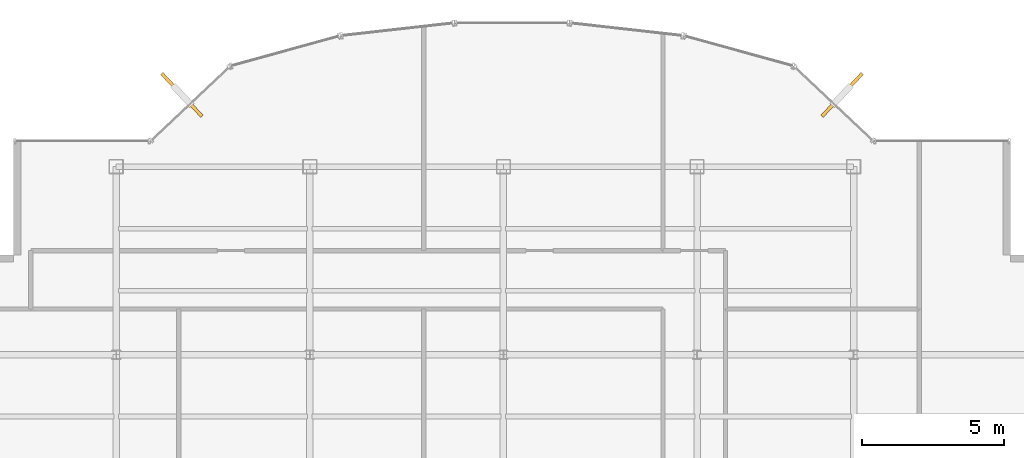
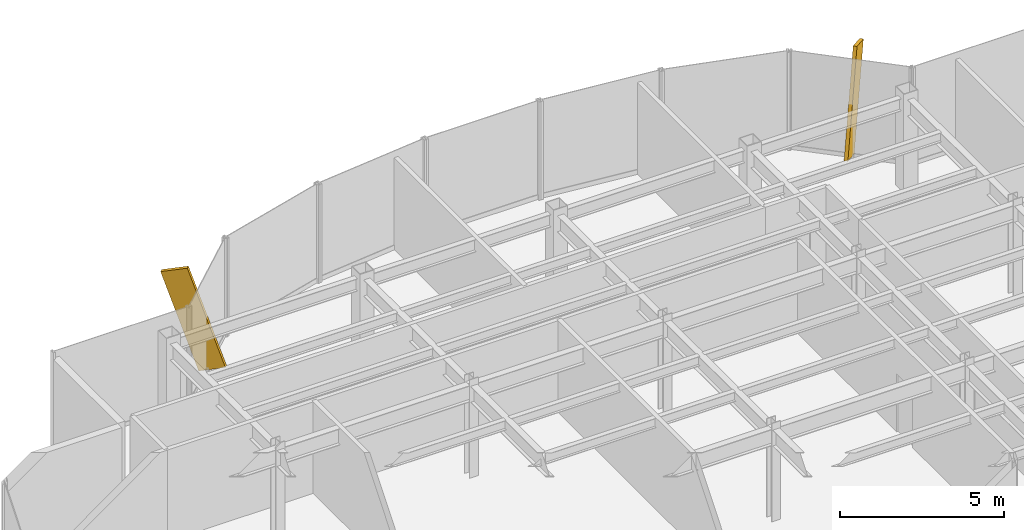
# One storey, part 21 of 22: 2 shading devices.
"""IFC4 building model written with IfcOpenShell, lengths in metres."""

import ifcopenshell
import ifcopenshell.guid

model = None  # the IFC model being written
_history = None  # IfcOwnerHistory: only IFC2X3 demands one
_inside = {}  # id of a spatial element -> (the spatial element, [elements in it])
_under = {}  # id of a project, library or spatial element -> (it, [spatial elements below it])
_declared = {}  # id of a project -> (the project, [libraries it declares])
_typed = {}  # id of a type object -> (the type object, [elements of that type])
_made_of = {}  # id of a material, layer set ... -> (it, [elements and type objects made of it])


def new_model(schema):
    """Start an empty IFC model of exactly this schema.

    Asked for "IFC4X3", IfcOpenShell would pick the latest addendum, in which some entities
    have other attributes; the version numbers below select the first issue.
    IFC2X3 requires an IfcOwnerHistory on every rooted entity: one is made here for all.
    """
    global model, _history
    if schema == "IFC4X3":
        model = ifcopenshell.file(schema_version=(4, 3, 0, 0))
    else:
        model = ifcopenshell.file(schema=schema)
    _inside.clear()
    _under.clear()
    _declared.clear()
    _typed.clear()
    _made_of.clear()
    _history = None
    if model.schema == "IFC2X3":
        org = make("IfcOrganization", Name="unknown")
        user = make(
            "IfcPersonAndOrganization",
            ThePerson=make("IfcPerson", FamilyName="unknown"),
            TheOrganization=org,
        )
        app = make(
            "IfcApplication",
            ApplicationDeveloper=org,
            Version="unknown",
            ApplicationFullName="unknown",
            ApplicationIdentifier="unknown",
        )
        _history = make(
            "IfcOwnerHistory",
            OwningUser=user,
            OwningApplication=app,
            ChangeAction="ADDED",
            CreationDate=0,
        )
    return model


def make(cls, **values):
    """One entity of the class cls with the attributes given. An attribute that is None is left unset."""
    return model.create_entity(
        cls, **{name: value for name, value in values.items() if value is not None}
    )


def rooted(cls, **values):
    """An entity with a GlobalId (a new one), such as an element, a storey or a relation."""
    return make(cls, GlobalId=ifcopenshell.guid.new(), OwnerHistory=_history, **values)


def si_unit(unit_type, name, prefix=None):
    """IfcSIUnit, for example si_unit("LENGTHUNIT", "METRE", prefix="MILLI")."""
    return make("IfcSIUnit", UnitType=unit_type, Prefix=prefix, Name=name)


def derived_unit(unit_type, elements):
    """IfcDerivedUnit: a product of units, each with its exponent."""
    return make(
        "IfcDerivedUnit",
        Elements=[
            make("IfcDerivedUnitElement", Unit=unit, Exponent=power)
            for unit, power in elements
        ],
        UnitType=unit_type,
    )


def assignment(units):
    """IfcUnitAssignment: the units of a project."""
    return None if units is None else make("IfcUnitAssignment", Units=units)


def point(xyz):
    """IfcCartesianPoint."""
    return None if xyz is None else make("IfcCartesianPoint", Coordinates=xyz)


def direction(xyz):
    """IfcDirection."""
    return None if xyz is None else make("IfcDirection", DirectionRatios=xyz)


def frame(location, z_axis=None, x_axis=None):
    """IfcAxis2Placement3D, a coordinate frame: its origin and axes. An axis left out is left unset."""
    return make(
        "IfcAxis2Placement3D",
        Location=point(location),
        Axis=direction(z_axis),
        RefDirection=direction(x_axis),
    )


def frame_2d(location, x_axis=None):
    """IfcAxis2Placement2D, a coordinate frame in the plane: its origin and x axis."""
    return make(
        "IfcAxis2Placement2D", Location=point(location), RefDirection=direction(x_axis)
    )


def origin():
    """The frame at (0, 0, 0) with its axes left unset."""
    return frame((0.0, 0.0, 0.0))


def origin_2d():
    """The frame at (0, 0) in the plane with its x axis left unset."""
    return frame_2d((0.0, 0.0))


def place(relative_to, where):
    """IfcLocalPlacement: puts the frame where relative to a parent placement (None: the world)."""
    return make(
        "IfcLocalPlacement", PlacementRelTo=relative_to, RelativePlacement=where
    )


def context(
    kind, dimensions, precision=None, world=None, true_north=None, identifier=None
):
    """IfcGeometricRepresentationContext, for example the 3D "Model" context."""
    return make(
        "IfcGeometricRepresentationContext",
        ContextIdentifier=identifier,
        ContextType=kind,
        CoordinateSpaceDimension=dimensions,
        Precision=precision,
        WorldCoordinateSystem=world,
        TrueNorth=true_north,
    )


def subcontext(parent, identifier, kind, view, scale=None):
    """IfcGeometricRepresentationSubContext, for example "Body" below "Model"."""
    return make(
        "IfcGeometricRepresentationSubContext",
        ContextIdentifier=identifier,
        ContextType=kind,
        ParentContext=parent,
        TargetScale=scale,
        TargetView=view,
    )


def project(units=None, contexts=None):
    """IfcProject with its units and contexts."""
    return rooted(
        "IfcProject",
        Name="project",
        RepresentationContexts=contexts,
        UnitsInContext=assignment(units),
    )


def spatial(cls, under=None, at=None, **own):
    """A site, building, storey or space (cls), placed at a placement, below another one or the project."""
    s = rooted(cls, ObjectPlacement=at, **own)
    if under is not None:
        _under.setdefault(under.id(), (under, []))[1].append(s)
    return s


def profile(cls, at=None, kind="AREA", **sizes):
    """A parametric profile (cls). Its sizes go by their IFC names, for example OverallWidth=200.0."""
    return make(cls, ProfileType=kind, Position=at, **sizes)


def rectangle(**sizes):
    """IfcRectangleProfileDef."""
    return profile("IfcRectangleProfileDef", **sizes)


def extrude(swept, where, along, depth):
    """IfcExtrudedAreaSolid: the profile swept, set in the frame where, extruded along a direction by depth."""
    return make(
        "IfcExtrudedAreaSolid",
        SweptArea=swept,
        Position=where,
        ExtrudedDirection=direction(along),
        Depth=depth,
    )


def shape(context_of_items, identifier, shape_type, items):
    """IfcShapeRepresentation: the items that make up one representation, for example the "Body"."""
    return make(
        "IfcShapeRepresentation",
        ContextOfItems=context_of_items,
        RepresentationIdentifier=identifier,
        RepresentationType=shape_type,
        Items=items,
    )


def source(mapping_origin, context_of_items, identifier, shape_type, items):
    """IfcRepresentationMap: a shape defined once, which mapped items show again and again."""
    return make(
        "IfcRepresentationMap",
        MappingOrigin=mapping_origin,
        MappedRepresentation=shape(context_of_items, identifier, shape_type, items),
    )


def transform(
    local_origin,
    x_axis=None,
    y_axis=None,
    z_axis=None,
    scale=None,
    scale2=None,
    scale3=None,
    uniform=True,
):
    """IfcCartesianTransformationOperator3D, or its non-uniform kind. x_axis, y_axis, z_axis: its Axis1, 2, 3."""
    if uniform:
        return make(
            "IfcCartesianTransformationOperator3D",
            Axis1=direction(x_axis),
            Axis2=direction(y_axis),
            LocalOrigin=point(local_origin),
            Scale=scale,
            Axis3=direction(z_axis),
        )
    return make(
        "IfcCartesianTransformationOperator3DnonUniform",
        Axis1=direction(x_axis),
        Axis2=direction(y_axis),
        LocalOrigin=point(local_origin),
        Scale=scale,
        Axis3=direction(z_axis),
        Scale2=scale2,
        Scale3=scale3,
    )


def mapped(mapping_source, mapping_target):
    """IfcMappedItem: shows the shape of a source again, moved by a transform."""
    return make(
        "IfcMappedItem", MappingSource=mapping_source, MappingTarget=mapping_target
    )


def material(Name=None, Category=None):
    """IfcMaterial."""
    return make("IfcMaterial", Name=Name, Category=Category)


def made_of(thing, what):
    """Note that an element or type object is made of a material, layer set ...; save() writes the relation."""
    if what is not None:
        _made_of.setdefault(what.id(), (what, []))[1].append(thing)
    return thing


def type_object(cls, material=None, **own):
    """A type object (cls), such as IfcWallType, which elements share."""
    return made_of(rooted(cls, **own), material)


def element(
    cls,
    number,
    at=None,
    inside=None,
    cuts=None,
    type_object=None,
    material=None,
    context=None,
    identifier="Body",
    shape_type=None,
    held_by="IfcProductDefinitionShape",
    body=None,
    shapes=None,
    **own,
):
    """One element of the class cls, such as IfcWall. Its Tag is "e" and its number.

    at: its placement. inside: the storey or other place that contains it. cuts: it is an
    opening in that element (IfcRelVoidsElement). A single representation is given by context,
    identifier, shape_type and body (its items); several are given by shapes. held_by: the class
    of the entity that holds the representations. save() writes the other relations.
    """
    e = rooted(cls, Tag="e%d" % number, ObjectPlacement=at, **own)
    if body is not None:
        shapes = [shape(context, identifier, shape_type, body)]
    if shapes is not None:
        e.Representation = make(held_by, Representations=shapes)
    if inside is not None:
        _inside.setdefault(inside.id(), (inside, []))[1].append(e)
    if cuts is not None:
        rooted(
            "IfcRelVoidsElement", RelatingBuildingElement=cuts, RelatedOpeningElement=e
        )
    if type_object is not None:
        _typed.setdefault(type_object.id(), (type_object, []))[1].append(e)
    return made_of(e, material)


def aggregate(whole, parts):
    """IfcRelAggregates: a whole, such as a stair, and the parts it consists of."""
    return rooted("IfcRelAggregates", RelatingObject=whole, RelatedObjects=parts)


def save(model, path):
    """Write the relations noted so far, then the file.

    IfcRelAggregates (storeys below a building ...), IfcRelContainedInSpatialStructure (elements
    in a storey), IfcRelDefinesByType, IfcRelAssociatesMaterial and IfcRelDeclares: one each for
    every whole, place, type object, material and project.
    """
    for whole, parts in _under.values():
        aggregate(whole, parts)
    for where, things in _inside.values():
        rooted(
            "IfcRelContainedInSpatialStructure",
            RelatedElements=things,
            RelatingStructure=where,
        )
    for kind, things in _typed.values():
        rooted("IfcRelDefinesByType", RelatedObjects=things, RelatingType=kind)
    for what, things in _made_of.values():
        rooted("IfcRelAssociatesMaterial", RelatedObjects=things, RelatingMaterial=what)
    for by, libraries in _declared.values():
        rooted("IfcRelDeclares", RelatingContext=by, RelatedDefinitions=libraries)
    model.write(path)


model = new_model("IFC4")

# Units and contexts
model_context = context("Model", 3, precision=1e-05, world=origin(), true_north=direction((0.0, 1.0)))
body_context = subcontext(model_context, "Body", "Model", "MODEL_VIEW")
ifc_project = project(units=[si_unit("LENGTHUNIT", "METRE"), si_unit("AREAUNIT", "SQUARE_METRE"), si_unit("VOLUMEUNIT", "CUBIC_METRE"), si_unit("PLANEANGLEUNIT", "RADIAN"), si_unit("MASSUNIT", "GRAM", prefix="KILO"), derived_unit("THERMALTRANSMITTANCEUNIT", [(si_unit("POWERUNIT", "WATT"), 1), (si_unit("LENGTHUNIT", "METRE"), -2), (si_unit("THERMODYNAMICTEMPERATUREUNIT", "KELVIN"), -1)])], contexts=[model_context])

# Site, building, storey
site_placement = place(None, origin())
site = spatial("IfcSite", under=ifc_project, at=site_placement, CompositionType="ELEMENT")
building_placement = place(site_placement, origin())
building = spatial("IfcBuilding", under=site, at=building_placement, Name="Skarnbrae Concourse Arena and Tower", CompositionType="ELEMENT")
storey_placement = place(building_placement, frame((0.0, 0.0, 203.199951171875)))
storey = spatial("IfcBuildingStorey", under=building, at=storey_placement, Name="L52", CompositionType="ELEMENT", Elevation=203.199951171875)

# Shading devices
ifc_material = material(Name="Bronze anodised aluminium 6063-T6", Category="aluminium")
shading_device_type = type_object("IfcShadingDeviceType", Name="SHD-BRONZE-FIN-900", PredefinedType="USERDEFINED", material=ifc_material)
shared_shape = source(origin(), body_context, "Body", "SweptSolid", [
    extrude(rectangle(XDim=0.1201171875, YDim=0.89990234375, at=origin_2d()), origin(), (0.0, 0.0, 1.0), 3.64990234375),
])
for number, where, z_axis, x_axis, name in (
    (1, (32.677978515625, 36.478759765625, 0.103271484375), (0.227224184045, 0.241377537722, 0.943454320287), (0.728131751529, -0.685437198009, 0.0), "L52 Outward-leaning bronze shading fin 08"),
    (2, (10.322021484375, 36.478759765625, 0.103271484375), (-0.227224184045, 0.241377537722, 0.943454320287), (0.728131751529, 0.685437198009, 0.0), "L52 Outward-leaning bronze shading fin 14"),
):
    element("IfcShadingDevice", number, at=place(storey_placement, frame(where, z_axis=z_axis, x_axis=x_axis)), inside=storey, type_object=shading_device_type, Name=name, ObjectType="FIN", PredefinedType="USERDEFINED", context=body_context, shape_type="MappedRepresentation", body=[
        mapped(shared_shape, transform((0.0, 0.0, 0.0))),
    ])

save(model, "model.ifc")
